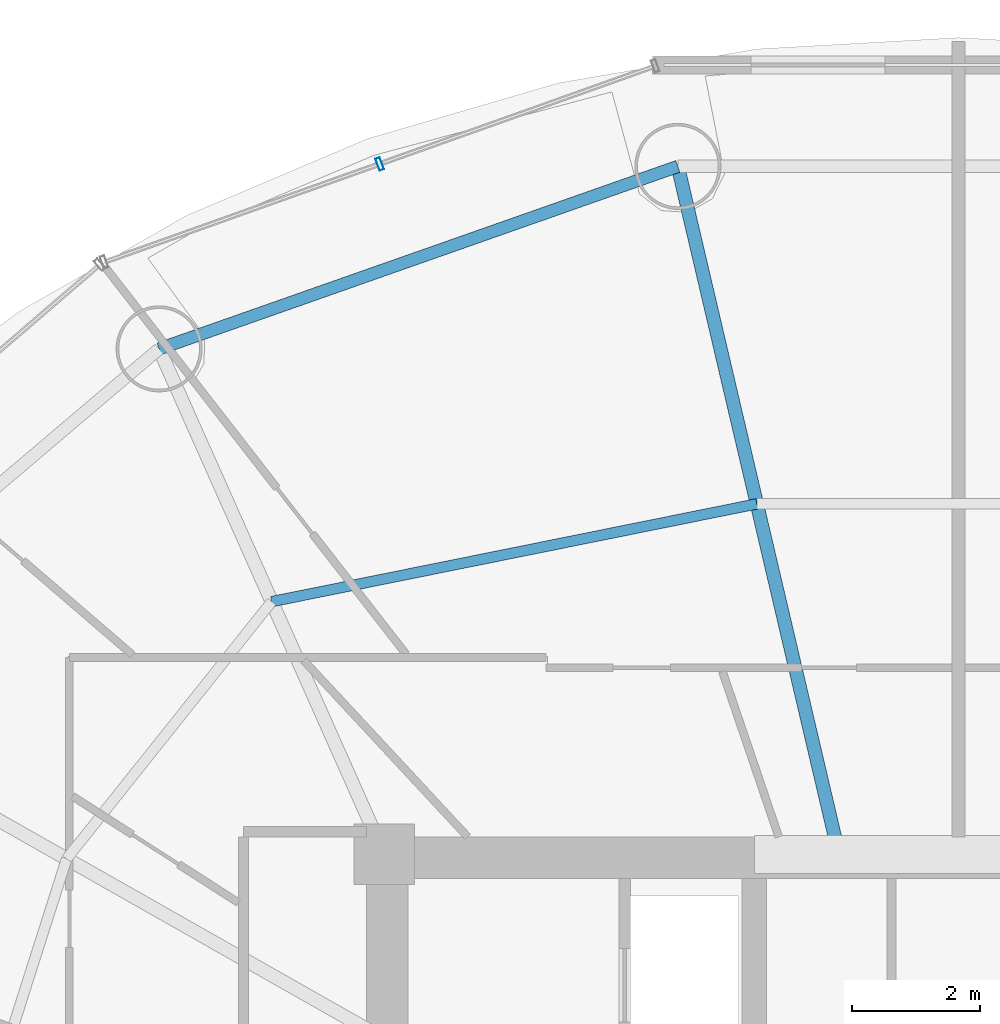
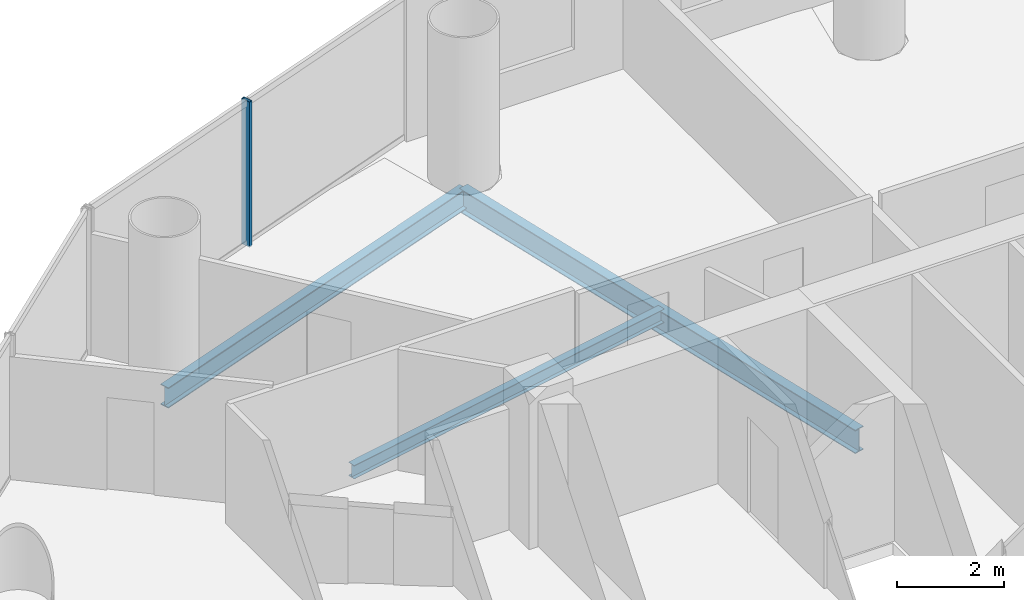
# One storey, part 15 of 27: 3 beams, 1 member, 1 element without a shape of its own.
"""IFC4 building model written with IfcOpenShell, lengths in metres."""

import ifcopenshell
import ifcopenshell.guid

model = None  # the IFC model being written
_history = None  # IfcOwnerHistory: only IFC2X3 demands one
_inside = {}  # id of a spatial element -> (the spatial element, [elements in it])
_under = {}  # id of a project, library or spatial element -> (it, [spatial elements below it])
_declared = {}  # id of a project -> (the project, [libraries it declares])
_typed = {}  # id of a type object -> (the type object, [elements of that type])
_made_of = {}  # id of a material, layer set ... -> (it, [elements and type objects made of it])


def new_model(schema):
    """Start an empty IFC model of exactly this schema.

    Asked for "IFC4X3", IfcOpenShell would pick the latest addendum, in which some entities
    have other attributes; the version numbers below select the first issue.
    IFC2X3 requires an IfcOwnerHistory on every rooted entity: one is made here for all.
    """
    global model, _history
    if schema == "IFC4X3":
        model = ifcopenshell.file(schema_version=(4, 3, 0, 0))
    else:
        model = ifcopenshell.file(schema=schema)
    _inside.clear()
    _under.clear()
    _declared.clear()
    _typed.clear()
    _made_of.clear()
    _history = None
    if model.schema == "IFC2X3":
        org = make("IfcOrganization", Name="unknown")
        user = make(
            "IfcPersonAndOrganization",
            ThePerson=make("IfcPerson", FamilyName="unknown"),
            TheOrganization=org,
        )
        app = make(
            "IfcApplication",
            ApplicationDeveloper=org,
            Version="unknown",
            ApplicationFullName="unknown",
            ApplicationIdentifier="unknown",
        )
        _history = make(
            "IfcOwnerHistory",
            OwningUser=user,
            OwningApplication=app,
            ChangeAction="ADDED",
            CreationDate=0,
        )
    return model


def make(cls, **values):
    """One entity of the class cls with the attributes given. An attribute that is None is left unset."""
    return model.create_entity(
        cls, **{name: value for name, value in values.items() if value is not None}
    )


def rooted(cls, **values):
    """An entity with a GlobalId (a new one), such as an element, a storey or a relation."""
    return make(cls, GlobalId=ifcopenshell.guid.new(), OwnerHistory=_history, **values)


def si_unit(unit_type, name, prefix=None):
    """IfcSIUnit, for example si_unit("LENGTHUNIT", "METRE", prefix="MILLI")."""
    return make("IfcSIUnit", UnitType=unit_type, Prefix=prefix, Name=name)


def assignment(units):
    """IfcUnitAssignment: the units of a project."""
    return None if units is None else make("IfcUnitAssignment", Units=units)


def point(xyz):
    """IfcCartesianPoint."""
    return None if xyz is None else make("IfcCartesianPoint", Coordinates=xyz)


def direction(xyz):
    """IfcDirection."""
    return None if xyz is None else make("IfcDirection", DirectionRatios=xyz)


def frame(location, z_axis=None, x_axis=None):
    """IfcAxis2Placement3D, a coordinate frame: its origin and axes. An axis left out is left unset."""
    return make(
        "IfcAxis2Placement3D",
        Location=point(location),
        Axis=direction(z_axis),
        RefDirection=direction(x_axis),
    )


def frame_2d(location, x_axis=None):
    """IfcAxis2Placement2D, a coordinate frame in the plane: its origin and x axis."""
    return make(
        "IfcAxis2Placement2D", Location=point(location), RefDirection=direction(x_axis)
    )


def origin():
    """The frame at (0, 0, 0) with its axes left unset."""
    return frame((0.0, 0.0, 0.0))


def origin_2d():
    """The frame at (0, 0) in the plane with its x axis left unset."""
    return frame_2d((0.0, 0.0))


def place(relative_to, where):
    """IfcLocalPlacement: puts the frame where relative to a parent placement (None: the world)."""
    return make(
        "IfcLocalPlacement", PlacementRelTo=relative_to, RelativePlacement=where
    )


def context(
    kind, dimensions, precision=None, world=None, true_north=None, identifier=None
):
    """IfcGeometricRepresentationContext, for example the 3D "Model" context."""
    return make(
        "IfcGeometricRepresentationContext",
        ContextIdentifier=identifier,
        ContextType=kind,
        CoordinateSpaceDimension=dimensions,
        Precision=precision,
        WorldCoordinateSystem=world,
        TrueNorth=true_north,
    )


def subcontext(parent, identifier, kind, view, scale=None):
    """IfcGeometricRepresentationSubContext, for example "Body" below "Model"."""
    return make(
        "IfcGeometricRepresentationSubContext",
        ContextIdentifier=identifier,
        ContextType=kind,
        ParentContext=parent,
        TargetScale=scale,
        TargetView=view,
    )


def project(units=None, contexts=None):
    """IfcProject with its units and contexts."""
    return rooted(
        "IfcProject",
        Name="project",
        RepresentationContexts=contexts,
        UnitsInContext=assignment(units),
    )


def spatial(cls, under=None, at=None, **own):
    """A site, building, storey or space (cls), placed at a placement, below another one or the project."""
    s = rooted(cls, ObjectPlacement=at, **own)
    if under is not None:
        _under.setdefault(under.id(), (under, []))[1].append(s)
    return s


def profile(cls, at=None, kind="AREA", **sizes):
    """A parametric profile (cls). Its sizes go by their IFC names, for example OverallWidth=200.0."""
    return make(cls, ProfileType=kind, Position=at, **sizes)


def hollow_rectangle(**sizes):
    """IfcRectangleHollowProfileDef."""
    return profile("IfcRectangleHollowProfileDef", **sizes)


def i_section(**sizes):
    """IfcIShapeProfileDef."""
    return profile("IfcIShapeProfileDef", **sizes)


def extrude(swept, where, along, depth):
    """IfcExtrudedAreaSolid: the profile swept, set in the frame where, extruded along a direction by depth."""
    return make(
        "IfcExtrudedAreaSolid",
        SweptArea=swept,
        Position=where,
        ExtrudedDirection=direction(along),
        Depth=depth,
    )


def shape(context_of_items, identifier, shape_type, items):
    """IfcShapeRepresentation: the items that make up one representation, for example the "Body"."""
    return make(
        "IfcShapeRepresentation",
        ContextOfItems=context_of_items,
        RepresentationIdentifier=identifier,
        RepresentationType=shape_type,
        Items=items,
    )


def source(mapping_origin, context_of_items, identifier, shape_type, items):
    """IfcRepresentationMap: a shape defined once, which mapped items show again and again."""
    return make(
        "IfcRepresentationMap",
        MappingOrigin=mapping_origin,
        MappedRepresentation=shape(context_of_items, identifier, shape_type, items),
    )


def transform(
    local_origin,
    x_axis=None,
    y_axis=None,
    z_axis=None,
    scale=None,
    scale2=None,
    scale3=None,
    uniform=True,
):
    """IfcCartesianTransformationOperator3D, or its non-uniform kind. x_axis, y_axis, z_axis: its Axis1, 2, 3."""
    if uniform:
        return make(
            "IfcCartesianTransformationOperator3D",
            Axis1=direction(x_axis),
            Axis2=direction(y_axis),
            LocalOrigin=point(local_origin),
            Scale=scale,
            Axis3=direction(z_axis),
        )
    return make(
        "IfcCartesianTransformationOperator3DnonUniform",
        Axis1=direction(x_axis),
        Axis2=direction(y_axis),
        LocalOrigin=point(local_origin),
        Scale=scale,
        Axis3=direction(z_axis),
        Scale2=scale2,
        Scale3=scale3,
    )


def mapped(mapping_source, mapping_target):
    """IfcMappedItem: shows the shape of a source again, moved by a transform."""
    return make(
        "IfcMappedItem", MappingSource=mapping_source, MappingTarget=mapping_target
    )


def material(Name=None, Category=None):
    """IfcMaterial."""
    return make("IfcMaterial", Name=Name, Category=Category)


def material_profile(
    of_material, cross_section, Name=None, Category=None, Priority=None
):
    """IfcMaterialProfile: a cross section and its material."""
    return make(
        "IfcMaterialProfile",
        Name=Name,
        Material=of_material,
        Profile=cross_section,
        Priority=Priority,
        Category=Category,
    )


def profile_set(profiles, Name=None, composite=None):
    """IfcMaterialProfileSet."""
    return make(
        "IfcMaterialProfileSet",
        Name=Name,
        MaterialProfiles=profiles,
        CompositeProfile=composite,
    )


def made_of(thing, what):
    """Note that an element or type object is made of a material, layer set ...; save() writes the relation."""
    if what is not None:
        _made_of.setdefault(what.id(), (what, []))[1].append(thing)
    return thing


def type_object(cls, material=None, **own):
    """A type object (cls), such as IfcWallType, which elements share."""
    return made_of(rooted(cls, **own), material)


def element(
    cls,
    number,
    at=None,
    inside=None,
    cuts=None,
    type_object=None,
    material=None,
    context=None,
    identifier="Body",
    shape_type=None,
    held_by="IfcProductDefinitionShape",
    body=None,
    shapes=None,
    **own,
):
    """One element of the class cls, such as IfcWall. Its Tag is "e" and its number.

    at: its placement. inside: the storey or other place that contains it. cuts: it is an
    opening in that element (IfcRelVoidsElement). A single representation is given by context,
    identifier, shape_type and body (its items); several are given by shapes. held_by: the class
    of the entity that holds the representations. save() writes the other relations.
    """
    e = rooted(cls, Tag="e%d" % number, ObjectPlacement=at, **own)
    if body is not None:
        shapes = [shape(context, identifier, shape_type, body)]
    if shapes is not None:
        e.Representation = make(held_by, Representations=shapes)
    if inside is not None:
        _inside.setdefault(inside.id(), (inside, []))[1].append(e)
    if cuts is not None:
        rooted(
            "IfcRelVoidsElement", RelatingBuildingElement=cuts, RelatedOpeningElement=e
        )
    if type_object is not None:
        _typed.setdefault(type_object.id(), (type_object, []))[1].append(e)
    return made_of(e, material)


def aggregate(whole, parts):
    """IfcRelAggregates: a whole, such as a stair, and the parts it consists of."""
    return rooted("IfcRelAggregates", RelatingObject=whole, RelatedObjects=parts)


def save(model, path):
    """Write the relations noted so far, then the file.

    IfcRelAggregates (storeys below a building ...), IfcRelContainedInSpatialStructure (elements
    in a storey), IfcRelDefinesByType, IfcRelAssociatesMaterial and IfcRelDeclares: one each for
    every whole, place, type object, material and project.
    """
    for whole, parts in _under.values():
        aggregate(whole, parts)
    for where, things in _inside.values():
        rooted(
            "IfcRelContainedInSpatialStructure",
            RelatedElements=things,
            RelatingStructure=where,
        )
    for kind, things in _typed.values():
        rooted("IfcRelDefinesByType", RelatedObjects=things, RelatingType=kind)
    for what, things in _made_of.values():
        rooted("IfcRelAssociatesMaterial", RelatedObjects=things, RelatingMaterial=what)
    for by, libraries in _declared.values():
        rooted("IfcRelDeclares", RelatingContext=by, RelatedDefinitions=libraries)
    model.write(path)


model = new_model("IFC4")

# Units and contexts
model_context = context("Model", 3, precision=1e-05, world=origin(), true_north=direction((-0.2419218956, 0.970295726276)))
body_context = subcontext(model_context, "Body", "Model", "MODEL_VIEW")
ifc_project = project(units=[si_unit("LENGTHUNIT", "METRE"), si_unit("AREAUNIT", "SQUARE_METRE"), si_unit("VOLUMEUNIT", "CUBIC_METRE"), si_unit("PLANEANGLEUNIT", "RADIAN"), si_unit("MASSUNIT", "GRAM", prefix="KILO")], contexts=[model_context])

# Site, building, storey
site_placement = place(None, origin())
site = spatial("IfcSite", under=ifc_project, at=site_placement, CompositionType="ELEMENT")
building_placement = place(site_placement, origin())
building = spatial("IfcBuilding", under=site, at=building_placement, Name="Cobrevalo Terracotta Tower", CompositionType="ELEMENT")
storey_placement = place(building_placement, frame((0.0, 0.0, 153.39990234375)))
storey = spatial("IfcBuildingStorey", under=building, at=storey_placement, Name="L40", CompositionType="ELEMENT", Elevation=153.39990234375)

# Beams
ifc_material_1 = material(Name="Steel S355", Category="steel")
ifc_material_profile_1 = material_profile(ifc_material_1, i_section(OverallWidth=0.2109375, OverallDepth=0.5390625, WebThickness=0.01171875, FlangeThickness=0.018798828125, at=origin_2d()), Name="W 530x109")
ifc_profile_set_1 = profile_set([ifc_material_profile_1], Name="Steel S355")
beam_type_1 = type_object("IfcBeamType", Name="Structural Beam W 530x109 (Steel S355)", PredefinedType="BEAM", material=ifc_profile_set_1)
beam_1_placement = place(storey_placement, frame((33.600830078125, 45.58203125, -0.539306640625), z_axis=(0.228040864186, -0.973651562039, 0.0), x_axis=(0.973651562039, 0.228040864186, 0.0)))
element("IfcBeam", 1, at=beam_1_placement, inside=storey, type_object=beam_type_1, Name="L40 radial floor girder 05", PredefinedType="BEAM", context=body_context, shape_type="SweptSolid", body=[
    extrude(i_section(OverallWidth=0.2109375, OverallDepth=0.5390625, WebThickness=0.01171875, FlangeThickness=0.018798828125, at=origin_2d()), origin(), (0.0, 0.0, 1.0), 10.86328125),
])
ifc_material_profile_2 = material_profile(ifc_material_1, i_section(OverallWidth=0.1650390625, OverallDepth=0.31005859375, WebThickness=0.005859375, FlangeThickness=0.009765625, at=origin_2d()), Name="W 310x38.7")
ifc_profile_set_2 = profile_set([ifc_material_profile_2], Name="Steel S355")
beam_type_2 = type_object("IfcBeamType", Name="Structural Joist W 310x38.7 (Steel S355)", PredefinedType="JOIST", material=ifc_profile_set_2)
beam_2_placement = place(storey_placement, frame((34.83935546875, 40.29345703125, -0.4248046875), z_axis=(-0.980293928329, -0.197544461026, 0.0), x_axis=(0.197544461026, -0.980293928329, 0.0)))
element("IfcBeam", 2, at=beam_2_placement, inside=storey, type_object=beam_type_2, Name="L40 circumferential secondary floor joist 05", PredefinedType="JOIST", context=body_context, shape_type="SweptSolid", body=[
    extrude(i_section(OverallWidth=0.1650390625, OverallDepth=0.31005859375, WebThickness=0.005859375, FlangeThickness=0.009765625, at=origin_2d()), origin(), (0.0, 0.0, 1.0), 7.75634765625),
])
ifc_material_profile_3 = material_profile(ifc_material_1, i_section(OverallWidth=0.194091796875, OverallDepth=0.468994140625, WebThickness=0.011474609375, FlangeThickness=0.0205078125, at=origin_2d()), Name="W 460x106")
ifc_profile_set_3 = profile_set([ifc_material_profile_3], Name="Steel S355")
beam_type_3 = type_object("IfcBeamType", Name="Structural Spandrel W 460x106 (Steel S355)", PredefinedType="SPANDREL", material=ifc_profile_set_3)
beam_3_placement = place(storey_placement, frame((33.600830078125, 45.58203125, -0.50439453125), z_axis=(-0.943341298492, -0.331824041565, 0.0), x_axis=(0.331824041565, -0.943341298492, 0.0)))
element("IfcBeam", 3, at=beam_3_placement, inside=storey, type_object=beam_type_3, Name="L40 perimeter ring spandrel 05", PredefinedType="SPANDREL", context=body_context, shape_type="SweptSolid", body=[
    extrude(i_section(OverallWidth=0.194091796875, OverallDepth=0.468994140625, WebThickness=0.011474609375, FlangeThickness=0.0205078125, at=origin_2d()), origin(), (0.0, 0.0, 1.0), 8.6171875),
])

# Curtain wall, member
ifc_material_2 = material(Name="Anodized aluminium", Category="aluminium")
curtain_wall_type = type_object("IfcCurtainWallType", Name="Mid-tower high-wind unitised curtain wall CW-U2", PredefinedType="NOTDEFINED", material=ifc_material_2)
curtain_wall_placement = place(storey_placement, origin())
curtain_wall = element("IfcCurtainWall", 4, at=curtain_wall_placement, inside=storey, type_object=curtain_wall_type, Name="L40 curtain wall CW-L40-S05", PredefinedType="NOTDEFINED")
ifc_material_profile_4 = material_profile(ifc_material_2, hollow_rectangle(XDim=0.074951171875, YDim=0.199951171875, WallThickness=0.0048828125, at=origin_2d()), Name="CWM 75x200")
ifc_profile_set_4 = profile_set([ifc_material_profile_4], Name="Anodized aluminium")
member_type = type_object("IfcMemberType", Name="Lower/mid tower unitised mullion 75x200", PredefinedType="MULLION", material=ifc_profile_set_4)
shared_shape = source(origin(), body_context, "Body", "SweptSolid", [
    extrude(hollow_rectangle(XDim=0.074951171875, YDim=0.199951171875, WallThickness=0.0048828125, at=origin_2d()), origin(), (0.0, 0.0, 1.0), 3.330078125),
])
member_placement = place(storey_placement, frame((28.92822265625, 45.620361328125, 0.0), z_axis=(0.0, 0.0, 1.0), x_axis=(-0.942098428897, -0.335336473217, 0.0)))
member = element("IfcMember", 5, at=member_placement, type_object=member_type, Name="CW-L40-S05 vertical mullion 02", PredefinedType="MULLION", context=body_context, shape_type="MappedRepresentation", body=[
    mapped(shared_shape, transform((0.0, 0.0, 0.0), scale=1.0)),
])
aggregate(curtain_wall, [member])

save(model, "model.ifc")
